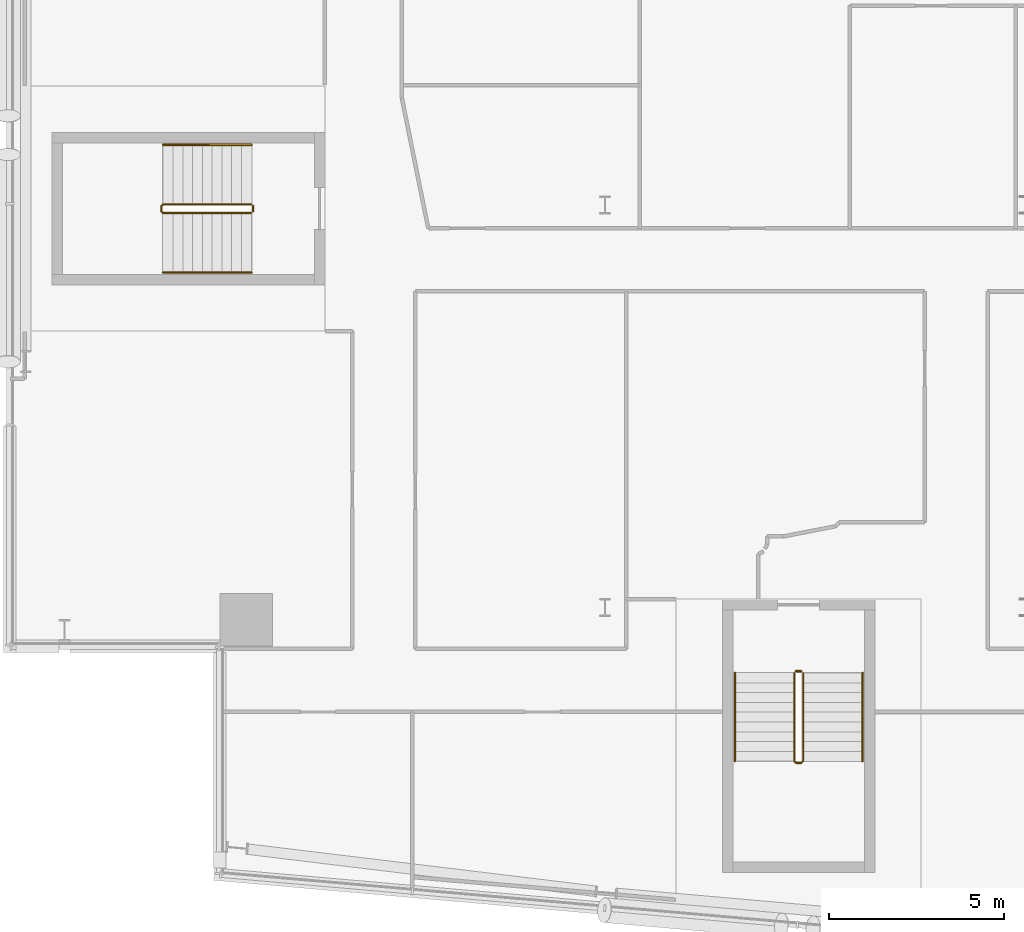
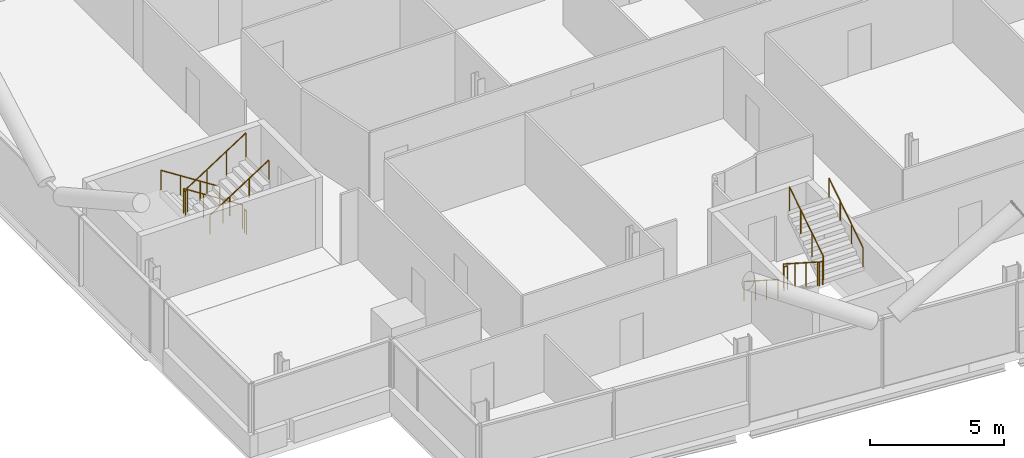
# One storey, part 25 of 27: 8 railings.
"""IFC4 building model written with IfcOpenShell, lengths in metres."""

from ifc_helpers import new_model, si_unit, direction, frame, origin, origin_2d, place, context, subcontext, project, spatial, circle, extrude, material, type_object, element, save


model = new_model("IFC4")

# Units and contexts
model_context = context("Model", 3, precision=1e-05, world=origin(), true_north=direction((0.0, 1.0)))
body_context = subcontext(model_context, "Body", "Model", "MODEL_VIEW")
ifc_project = project(units=[si_unit("LENGTHUNIT", "METRE"), si_unit("AREAUNIT", "SQUARE_METRE"), si_unit("VOLUMEUNIT", "CUBIC_METRE"), si_unit("PLANEANGLEUNIT", "RADIAN"), si_unit("MASSUNIT", "GRAM", prefix="KILO")], contexts=[model_context])

# Site, building, storey
site_placement = place(None, origin())
site = spatial("IfcSite", under=ifc_project, at=site_placement, CompositionType="ELEMENT")
building_placement = place(site_placement, origin())
building = spatial("IfcBuilding", under=site, at=building_placement, Name="Wharfspan Tower", CompositionType="ELEMENT")
storey_placement = place(building_placement, frame((0.0, 0.0, 195.100098)))
storey = spatial("IfcBuildingStorey", under=building, at=storey_placement, Name="L48", CompositionType="ELEMENT", Elevation=195.100098)

# Railings
ifc_material = material(Name="Steel S355J2", Category="steel")
railing_type_1 = type_object("IfcRailingType", Name="Stair guard 1100", PredefinedType="GUARDRAIL", material=ifc_material)
railing_1_placement = place(storey_placement, frame((13.899902, 23.024902, 0.179932)))
element("IfcRailing", 1, at=railing_1_placement, inside=storey, type_object=railing_type_1, Name="L48 ST3 stair guard 1", PredefinedType="GUARDRAIL", context=body_context, shape_type="SweptSolid", body=[
    extrude(circle(Radius=0.023926, at=origin_2d()), frame((0.0, 0.0, 1.076172), z_axis=(-0.8412, 0.0, 0.540725), x_axis=(0.0, -1.0, 0.0)), (0.0, 0.0, 1.0), 2.99585),
    extrude(circle(Radius=0.023926, at=origin_2d()), frame((-2.52002, 0.0, 2.695801), z_axis=(-0.707107, -0.707107, 0.0), x_axis=(0.707107, -0.707107, 0.0)), (0.0, 0.0, 1.0), 0.070312),
    extrude(circle(Radius=0.023926, at=origin_2d()), frame((-2.569824, -0.049805, 2.695801), z_axis=(0.0, -1.0, 0.0), x_axis=(1.0, 0.0, 0.0)), (0.0, 0.0, 1.0), 0.150146),
    extrude(circle(Radius=0.023926, at=origin_2d()), frame((-2.569824, -0.199951, 2.695801), z_axis=(0.257366, -0.258628, 0.931061), x_axis=(0.708838, 0.705372, -2e-06)), (0.0, 0.0, 1.0), 0.193604),
    extrude(circle(Radius=0.023926, at=origin_2d()), frame((-2.52002, -0.25, 2.875977), z_axis=(0.8412, 0.0, 0.540725), x_axis=(0.0, 1.0, 0.0)), (0.0, 0.0, 1.0), 2.99585),
    extrude(circle(Radius=0.020996, at=origin_2d()), origin(), (0.0, 0.0, 1.0), 1.052002),
    extrude(circle(Radius=0.020996, at=origin_2d()), frame((-0.840088, 0.0, 0.540039)), (0.0, 0.0, 1.0), 1.052002),
    extrude(circle(Radius=0.020996, at=origin_2d()), frame((-1.679932, 0.0, 1.079834)), (0.0, 0.0, 1.0), 1.052002),
    extrude(circle(Radius=0.020996, at=origin_2d()), frame((-2.52002, 0.0, 1.619873)), (0.0, 0.0, 1.0), 1.052002),
    extrude(circle(Radius=0.020996, at=origin_2d()), frame((-2.569824, -0.049805, 1.619873)), (0.0, 0.0, 1.0), 1.052002),
    extrude(circle(Radius=0.020996, at=origin_2d()), frame((-2.569824, -0.199951, 1.619873)), (0.0, 0.0, 1.0), 1.052002),
    extrude(circle(Radius=0.020996, at=origin_2d()), frame((-2.52002, -0.25, 1.800049)), (0.0, 0.0, 1.0), 1.052002),
    extrude(circle(Radius=0.020996, at=origin_2d()), frame((-1.679932, -0.25, 2.340088)), (0.0, 0.0, 1.0), 1.052002),
    extrude(circle(Radius=0.020996, at=origin_2d()), frame((-0.840088, -0.25, 2.879883)), (0.0, 0.0, 1.0), 1.052002),
    extrude(circle(Radius=0.020996, at=origin_2d()), frame((0.0, -0.25, 3.419922)), (0.0, 0.0, 1.0), 1.052002),
])
railing_2_placement = place(storey_placement, frame((13.949951, 22.975098, 0.0)))
element("IfcRailing", 2, at=railing_2_placement, inside=storey, type_object=railing_type_1, Name="L48 ST3 stair guard 2", PredefinedType="GUARDRAIL", context=body_context, shape_type="SweptSolid", body=[
    extrude(circle(Radius=0.023926, at=origin_2d()), frame((0.0, 0.0, 1.076172), z_axis=(0.0, -1.0, 0.0), x_axis=(1.0, 0.0, 0.0)), (0.0, 0.0, 1.0), 0.150146),
    extrude(circle(Radius=0.020996, at=origin_2d()), origin(), (0.0, 0.0, 1.0), 1.052002),
    extrude(circle(Radius=0.020996, at=origin_2d()), frame((0.0, -0.150146, 0.0)), (0.0, 0.0, 1.0), 1.052002),
])
railing_3_placement = place(storey_placement, frame((29.414307, 9.634277, 0.179932)))
element("IfcRailing", 3, at=railing_3_placement, inside=storey, type_object=railing_type_1, Name="L48 ST4 stair guard 1", PredefinedType="GUARDRAIL", context=body_context, shape_type="SweptSolid", body=[
    extrude(circle(Radius=0.023926, at=origin_2d()), frame((0.0, 0.0, 1.076172), z_axis=(0.0, -0.8412, 0.540725), x_axis=(1.0, 0.0, 0.0)), (0.0, 0.0, 1.0), 2.99585),
    extrude(circle(Radius=0.023926, at=origin_2d()), frame((0.0, -2.52002, 2.695801), z_axis=(0.705376, -0.708834, 0.0), x_axis=(0.708834, 0.705376, 0.0)), (0.0, 0.0, 1.0), 0.070557),
    extrude(circle(Radius=0.023926, at=origin_2d()), frame((0.049805, -2.570068, 2.695801), z_axis=(1.0, 0.0, 0.0), x_axis=(0.0, 1.0, 0.0)), (0.0, 0.0, 1.0), 0.150146),
    extrude(circle(Radius=0.023926, at=origin_2d()), frame((0.199951, -2.570068, 2.695801), z_axis=(0.258544, 0.258544, 0.930758), x_axis=(-0.707107, 0.707107, 0.0)), (0.0, 0.0, 1.0), 0.193604),
    extrude(circle(Radius=0.023926, at=origin_2d()), frame((0.25, -2.52002, 2.875977), z_axis=(0.0, 0.8412, 0.540725), x_axis=(-1.0, 0.0, 0.0)), (0.0, 0.0, 1.0), 2.99585),
    extrude(circle(Radius=0.020996, at=origin_2d()), origin(), (0.0, 0.0, 1.0), 1.052002),
    extrude(circle(Radius=0.020996, at=origin_2d()), frame((0.0, -0.840088, 0.540039)), (0.0, 0.0, 1.0), 1.052002),
    extrude(circle(Radius=0.020996, at=origin_2d()), frame((0.0, -1.679932, 1.079834)), (0.0, 0.0, 1.0), 1.052002),
    extrude(circle(Radius=0.020996, at=origin_2d()), frame((0.0, -2.52002, 1.619873)), (0.0, 0.0, 1.0), 1.052002),
    extrude(circle(Radius=0.020996, at=origin_2d()), frame((0.049805, -2.570068, 1.619873)), (0.0, 0.0, 1.0), 1.052002),
    extrude(circle(Radius=0.020996, at=origin_2d()), frame((0.199951, -2.570068, 1.619873)), (0.0, 0.0, 1.0), 1.052002),
    extrude(circle(Radius=0.020996, at=origin_2d()), frame((0.25, -2.52002, 1.800049)), (0.0, 0.0, 1.0), 1.052002),
    extrude(circle(Radius=0.020996, at=origin_2d()), frame((0.25, -1.679932, 2.340088)), (0.0, 0.0, 1.0), 1.052002),
    extrude(circle(Radius=0.020996, at=origin_2d()), frame((0.25, -0.840088, 2.879883)), (0.0, 0.0, 1.0), 1.052002),
    extrude(circle(Radius=0.020996, at=origin_2d()), frame((0.25, 0.0, 3.419922)), (0.0, 0.0, 1.0), 1.052002),
])
railing_4_placement = place(storey_placement, frame((29.464111, 9.684326, 0.0)))
element("IfcRailing", 4, at=railing_4_placement, inside=storey, type_object=railing_type_1, Name="L48 ST4 stair guard 2", PredefinedType="GUARDRAIL", context=body_context, shape_type="SweptSolid", body=[
    extrude(circle(Radius=0.023926, at=origin_2d()), frame((0.0, 0.0, 1.076172), z_axis=(1.0, 0.0, 0.0), x_axis=(0.0, 1.0, 0.0)), (0.0, 0.0, 1.0), 0.150146),
    extrude(circle(Radius=0.020996, at=origin_2d()), origin(), (0.0, 0.0, 1.0), 1.052002),
    extrude(circle(Radius=0.020996, at=origin_2d()), frame((0.150146, 0.0, 0.0)), (0.0, 0.0, 1.0), 1.052002),
])
railing_type_2 = type_object("IfcRailingType", Name="Stair handrail 900", PredefinedType="HANDRAIL", material=ifc_material)
railing_5_placement = place(storey_placement, frame((13.899902, 24.725098, 0.179932)))
element("IfcRailing", 5, at=railing_5_placement, inside=storey, type_object=railing_type_2, Name="L48 ST3 stair handrail 1", PredefinedType="HANDRAIL", context=body_context, shape_type="SweptSolid", body=[
    extrude(circle(Radius=0.023926, at=origin_2d()), frame((0.0, 0.0, 0.875977), z_axis=(-0.8412, 0.0, 0.540725), x_axis=(0.0, -1.0, 0.0)), (0.0, 0.0, 1.0), 2.99585),
    extrude(circle(Radius=0.020996, at=origin_2d()), origin(), (0.0, 0.0, 1.0), 0.851807),
    extrude(circle(Radius=0.020996, at=origin_2d()), frame((-0.840088, 0.0, 0.540039)), (0.0, 0.0, 1.0), 0.851807),
    extrude(circle(Radius=0.020996, at=origin_2d()), frame((-1.679932, 0.0, 1.079834)), (0.0, 0.0, 1.0), 0.851807),
    extrude(circle(Radius=0.020996, at=origin_2d()), frame((-2.52002, 0.0, 1.619873)), (0.0, 0.0, 1.0), 0.851807),
])
railing_6_placement = place(storey_placement, frame((11.379883, 21.074951, 1.97998)))
element("IfcRailing", 6, at=railing_6_placement, inside=storey, type_object=railing_type_2, Name="L48 ST3 stair handrail 2", PredefinedType="HANDRAIL", context=body_context, shape_type="SweptSolid", body=[
    extrude(circle(Radius=0.023926, at=origin_2d()), frame((0.0, 0.0, 0.875977), z_axis=(0.8412, 0.0, 0.540725), x_axis=(0.0, 1.0, 0.0)), (0.0, 0.0, 1.0), 2.99585),
    extrude(circle(Radius=0.020996, at=origin_2d()), origin(), (0.0, 0.0, 1.0), 0.851807),
    extrude(circle(Radius=0.020996, at=origin_2d()), frame((0.840088, 0.0, 0.540039)), (0.0, 0.0, 1.0), 0.851807),
    extrude(circle(Radius=0.020996, at=origin_2d()), frame((1.679932, 0.0, 1.079834)), (0.0, 0.0, 1.0), 0.851807),
    extrude(circle(Radius=0.020996, at=origin_2d()), frame((2.52002, 0.0, 1.619873)), (0.0, 0.0, 1.0), 0.851807),
])
railing_7_placement = place(storey_placement, frame((27.714111, 9.634277, 0.179932)))
element("IfcRailing", 7, at=railing_7_placement, inside=storey, type_object=railing_type_2, Name="L48 ST4 stair handrail 1", PredefinedType="HANDRAIL", context=body_context, shape_type="SweptSolid", body=[
    extrude(circle(Radius=0.023926, at=origin_2d()), frame((0.0, 0.0, 0.875977), z_axis=(0.0, -0.8412, 0.540725), x_axis=(1.0, 0.0, 0.0)), (0.0, 0.0, 1.0), 2.99585),
    extrude(circle(Radius=0.020996, at=origin_2d()), origin(), (0.0, 0.0, 1.0), 0.851807),
    extrude(circle(Radius=0.020996, at=origin_2d()), frame((0.0, -0.840088, 0.540039)), (0.0, 0.0, 1.0), 0.851807),
    extrude(circle(Radius=0.020996, at=origin_2d()), frame((0.0, -1.679932, 1.079834)), (0.0, 0.0, 1.0), 0.851807),
    extrude(circle(Radius=0.020996, at=origin_2d()), frame((0.0, -2.52002, 1.619873)), (0.0, 0.0, 1.0), 0.851807),
])
railing_8_placement = place(storey_placement, frame((31.364258, 7.114258, 1.97998)))
element("IfcRailing", 8, at=railing_8_placement, inside=storey, type_object=railing_type_2, Name="L48 ST4 stair handrail 2", PredefinedType="HANDRAIL", context=body_context, shape_type="SweptSolid", body=[
    extrude(circle(Radius=0.023926, at=origin_2d()), frame((0.0, 0.0, 0.875977), z_axis=(0.0, 0.8412, 0.540725), x_axis=(-1.0, 0.0, 0.0)), (0.0, 0.0, 1.0), 2.99585),
    extrude(circle(Radius=0.020996, at=origin_2d()), origin(), (0.0, 0.0, 1.0), 0.851807),
    extrude(circle(Radius=0.020996, at=origin_2d()), frame((0.0, 0.840088, 0.540039)), (0.0, 0.0, 1.0), 0.851807),
    extrude(circle(Radius=0.020996, at=origin_2d()), frame((0.0, 1.679932, 1.079834)), (0.0, 0.0, 1.0), 0.851807),
    extrude(circle(Radius=0.020996, at=origin_2d()), frame((0.0, 2.52002, 1.619873)), (0.0, 0.0, 1.0), 0.851807),
])

save(model, "model.ifc")
